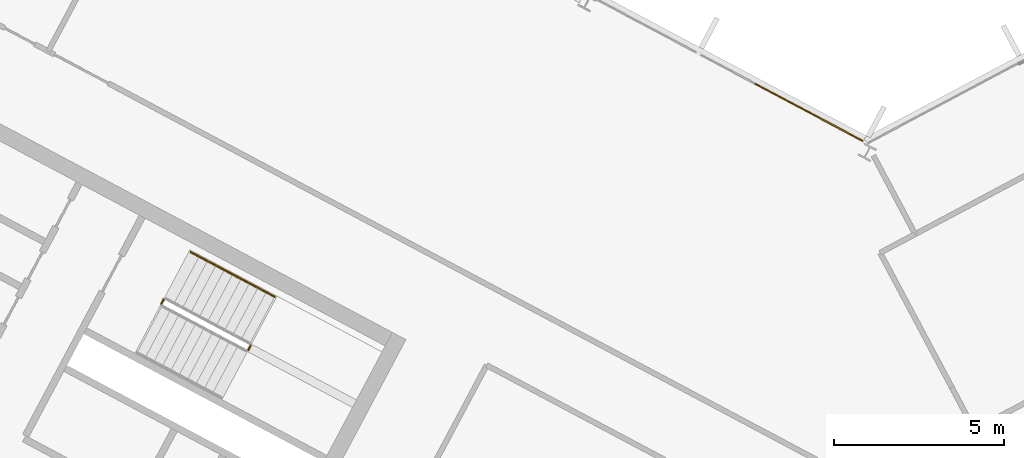
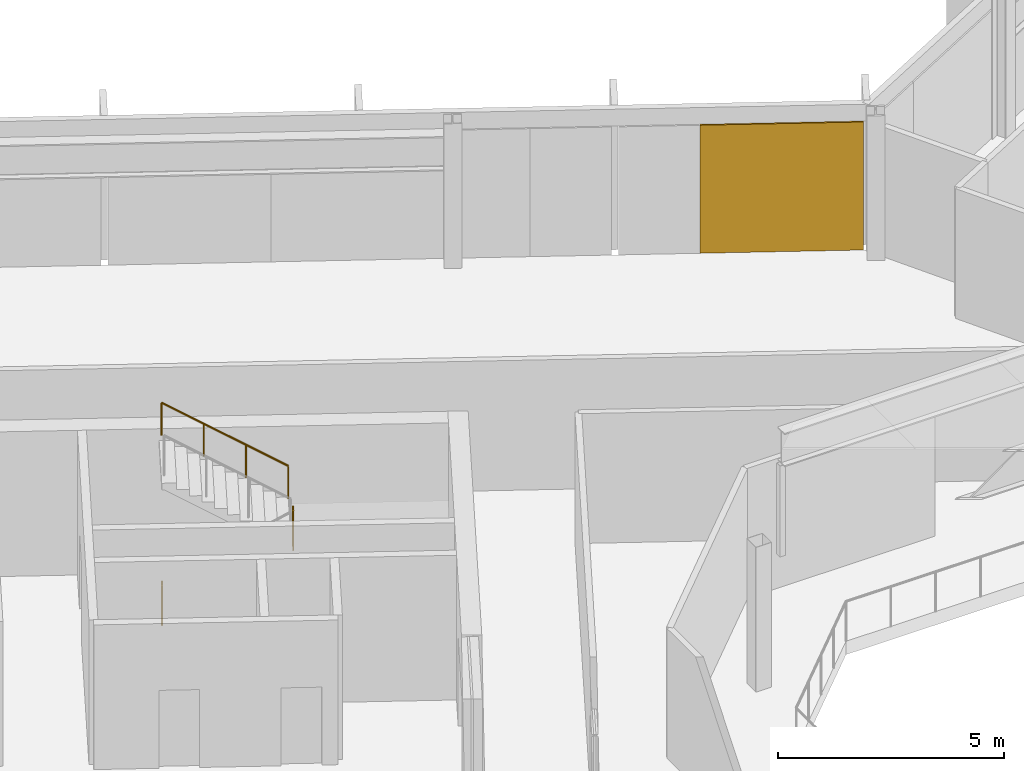
# One storey, part 33 of 35: 3 railings, 1 covering, 1 element without a shape of its own.
"""IFC4 building model written with IfcOpenShell, lengths in metres."""

import ifcopenshell
import ifcopenshell.guid

model = None  # the IFC model being written
_history = None  # IfcOwnerHistory: only IFC2X3 demands one
_inside = {}  # id of a spatial element -> (the spatial element, [elements in it])
_under = {}  # id of a project, library or spatial element -> (it, [spatial elements below it])
_declared = {}  # id of a project -> (the project, [libraries it declares])
_typed = {}  # id of a type object -> (the type object, [elements of that type])
_made_of = {}  # id of a material, layer set ... -> (it, [elements and type objects made of it])


def new_model(schema):
    """Start an empty IFC model of exactly this schema.

    Asked for "IFC4X3", IfcOpenShell would pick the latest addendum, in which some entities
    have other attributes; the version numbers below select the first issue.
    IFC2X3 requires an IfcOwnerHistory on every rooted entity: one is made here for all.
    """
    global model, _history
    if schema == "IFC4X3":
        model = ifcopenshell.file(schema_version=(4, 3, 0, 0))
    else:
        model = ifcopenshell.file(schema=schema)
    _inside.clear()
    _under.clear()
    _declared.clear()
    _typed.clear()
    _made_of.clear()
    _history = None
    if model.schema == "IFC2X3":
        org = make("IfcOrganization", Name="unknown")
        user = make(
            "IfcPersonAndOrganization",
            ThePerson=make("IfcPerson", FamilyName="unknown"),
            TheOrganization=org,
        )
        app = make(
            "IfcApplication",
            ApplicationDeveloper=org,
            Version="unknown",
            ApplicationFullName="unknown",
            ApplicationIdentifier="unknown",
        )
        _history = make(
            "IfcOwnerHistory",
            OwningUser=user,
            OwningApplication=app,
            ChangeAction="ADDED",
            CreationDate=0,
        )
    return model


def make(cls, **values):
    """One entity of the class cls with the attributes given. An attribute that is None is left unset."""
    return model.create_entity(
        cls, **{name: value for name, value in values.items() if value is not None}
    )


def rooted(cls, **values):
    """An entity with a GlobalId (a new one), such as an element, a storey or a relation."""
    return make(cls, GlobalId=ifcopenshell.guid.new(), OwnerHistory=_history, **values)


def si_unit(unit_type, name, prefix=None):
    """IfcSIUnit, for example si_unit("LENGTHUNIT", "METRE", prefix="MILLI")."""
    return make("IfcSIUnit", UnitType=unit_type, Prefix=prefix, Name=name)


def assignment(units):
    """IfcUnitAssignment: the units of a project."""
    return None if units is None else make("IfcUnitAssignment", Units=units)


def point(xyz):
    """IfcCartesianPoint."""
    return None if xyz is None else make("IfcCartesianPoint", Coordinates=xyz)


def direction(xyz):
    """IfcDirection."""
    return None if xyz is None else make("IfcDirection", DirectionRatios=xyz)


def frame(location, z_axis=None, x_axis=None):
    """IfcAxis2Placement3D, a coordinate frame: its origin and axes. An axis left out is left unset."""
    return make(
        "IfcAxis2Placement3D",
        Location=point(location),
        Axis=direction(z_axis),
        RefDirection=direction(x_axis),
    )


def frame_2d(location, x_axis=None):
    """IfcAxis2Placement2D, a coordinate frame in the plane: its origin and x axis."""
    return make(
        "IfcAxis2Placement2D", Location=point(location), RefDirection=direction(x_axis)
    )


def origin():
    """The frame at (0, 0, 0) with its axes left unset."""
    return frame((0.0, 0.0, 0.0))


def origin_2d():
    """The frame at (0, 0) in the plane with its x axis left unset."""
    return frame_2d((0.0, 0.0))


def place(relative_to, where):
    """IfcLocalPlacement: puts the frame where relative to a parent placement (None: the world)."""
    return make(
        "IfcLocalPlacement", PlacementRelTo=relative_to, RelativePlacement=where
    )


def context(
    kind, dimensions, precision=None, world=None, true_north=None, identifier=None
):
    """IfcGeometricRepresentationContext, for example the 3D "Model" context."""
    return make(
        "IfcGeometricRepresentationContext",
        ContextIdentifier=identifier,
        ContextType=kind,
        CoordinateSpaceDimension=dimensions,
        Precision=precision,
        WorldCoordinateSystem=world,
        TrueNorth=true_north,
    )


def subcontext(parent, identifier, kind, view, scale=None):
    """IfcGeometricRepresentationSubContext, for example "Body" below "Model"."""
    return make(
        "IfcGeometricRepresentationSubContext",
        ContextIdentifier=identifier,
        ContextType=kind,
        ParentContext=parent,
        TargetScale=scale,
        TargetView=view,
    )


def project(units=None, contexts=None):
    """IfcProject with its units and contexts."""
    return rooted(
        "IfcProject",
        Name="project",
        RepresentationContexts=contexts,
        UnitsInContext=assignment(units),
    )


def spatial(cls, under=None, at=None, **own):
    """A site, building, storey or space (cls), placed at a placement, below another one or the project."""
    s = rooted(cls, ObjectPlacement=at, **own)
    if under is not None:
        _under.setdefault(under.id(), (under, []))[1].append(s)
    return s


def polyline(points):
    """IfcPolyline through the points."""
    return make("IfcPolyline", Points=[point(p) for p in points])


def profile(cls, at=None, kind="AREA", **sizes):
    """A parametric profile (cls). Its sizes go by their IFC names, for example OverallWidth=200.0."""
    return make(cls, ProfileType=kind, Position=at, **sizes)


def rectangle(**sizes):
    """IfcRectangleProfileDef."""
    return profile("IfcRectangleProfileDef", **sizes)


def outline(outer, holes=None, kind="AREA"):
    """IfcArbitraryClosedProfileDef: a profile drawn as a closed curve; with holes, ...WithVoids."""
    if holes is None:
        return make("IfcArbitraryClosedProfileDef", ProfileType=kind, OuterCurve=outer)
    return make(
        "IfcArbitraryProfileDefWithVoids",
        ProfileType=kind,
        OuterCurve=outer,
        InnerCurves=holes,
    )


def extrude(swept, where, along, depth):
    """IfcExtrudedAreaSolid: the profile swept, set in the frame where, extruded along a direction by depth."""
    return make(
        "IfcExtrudedAreaSolid",
        SweptArea=swept,
        Position=where,
        ExtrudedDirection=direction(along),
        Depth=depth,
    )


def shape(context_of_items, identifier, shape_type, items):
    """IfcShapeRepresentation: the items that make up one representation, for example the "Body"."""
    return make(
        "IfcShapeRepresentation",
        ContextOfItems=context_of_items,
        RepresentationIdentifier=identifier,
        RepresentationType=shape_type,
        Items=items,
    )


def material(Name=None, Category=None):
    """IfcMaterial."""
    return make("IfcMaterial", Name=Name, Category=Category)


def layer(
    of_material, thickness, ventilated=None, Name=None, Category=None, Priority=None
):
    """IfcMaterialLayer: one layer of a wall or slab, of a material (None: an air gap)."""
    return make(
        "IfcMaterialLayer",
        Material=of_material,
        LayerThickness=thickness,
        IsVentilated=ventilated,
        Name=Name,
        Category=Category,
        Priority=Priority,
    )


def layer_set(layers, Name=None):
    """IfcMaterialLayerSet."""
    return make("IfcMaterialLayerSet", MaterialLayers=layers, LayerSetName=Name)


def made_of(thing, what):
    """Note that an element or type object is made of a material, layer set ...; save() writes the relation."""
    if what is not None:
        _made_of.setdefault(what.id(), (what, []))[1].append(thing)
    return thing


def type_object(cls, material=None, **own):
    """A type object (cls), such as IfcWallType, which elements share."""
    return made_of(rooted(cls, **own), material)


def element(
    cls,
    number,
    at=None,
    inside=None,
    cuts=None,
    type_object=None,
    material=None,
    context=None,
    identifier="Body",
    shape_type=None,
    held_by="IfcProductDefinitionShape",
    body=None,
    shapes=None,
    **own,
):
    """One element of the class cls, such as IfcWall. Its Tag is "e" and its number.

    at: its placement. inside: the storey or other place that contains it. cuts: it is an
    opening in that element (IfcRelVoidsElement). A single representation is given by context,
    identifier, shape_type and body (its items); several are given by shapes. held_by: the class
    of the entity that holds the representations. save() writes the other relations.
    """
    e = rooted(cls, Tag="e%d" % number, ObjectPlacement=at, **own)
    if body is not None:
        shapes = [shape(context, identifier, shape_type, body)]
    if shapes is not None:
        e.Representation = make(held_by, Representations=shapes)
    if inside is not None:
        _inside.setdefault(inside.id(), (inside, []))[1].append(e)
    if cuts is not None:
        rooted(
            "IfcRelVoidsElement", RelatingBuildingElement=cuts, RelatedOpeningElement=e
        )
    if type_object is not None:
        _typed.setdefault(type_object.id(), (type_object, []))[1].append(e)
    return made_of(e, material)


def aggregate(whole, parts):
    """IfcRelAggregates: a whole, such as a stair, and the parts it consists of."""
    return rooted("IfcRelAggregates", RelatingObject=whole, RelatedObjects=parts)


def save(model, path):
    """Write the relations noted so far, then the file.

    IfcRelAggregates (storeys below a building ...), IfcRelContainedInSpatialStructure (elements
    in a storey), IfcRelDefinesByType, IfcRelAssociatesMaterial and IfcRelDeclares: one each for
    every whole, place, type object, material and project.
    """
    for whole, parts in _under.values():
        aggregate(whole, parts)
    for where, things in _inside.values():
        rooted(
            "IfcRelContainedInSpatialStructure",
            RelatedElements=things,
            RelatingStructure=where,
        )
    for kind, things in _typed.values():
        rooted("IfcRelDefinesByType", RelatedObjects=things, RelatingType=kind)
    for what, things in _made_of.values():
        rooted("IfcRelAssociatesMaterial", RelatedObjects=things, RelatingMaterial=what)
    for by, libraries in _declared.values():
        rooted("IfcRelDeclares", RelatingContext=by, RelatedDefinitions=libraries)
    model.write(path)


model = new_model("IFC4")

# Units and contexts
model_context = context("Model", 3, precision=1e-05, world=origin(), true_north=direction((0.0, 1.0)))
body_context = subcontext(model_context, "Body", "Model", "MODEL_VIEW")
ifc_project = project(units=[si_unit("LENGTHUNIT", "METRE"), si_unit("AREAUNIT", "SQUARE_METRE"), si_unit("VOLUMEUNIT", "CUBIC_METRE"), si_unit("PLANEANGLEUNIT", "RADIAN"), si_unit("MASSUNIT", "GRAM", prefix="KILO")], contexts=[model_context])

# Site, building, storey
site_placement = place(None, origin())
site = spatial("IfcSite", under=ifc_project, at=site_placement, CompositionType="ELEMENT")
building_placement = place(site_placement, origin())
building = spatial("IfcBuilding", under=site, at=building_placement, Name="Cormorant Relay Tower", CompositionType="ELEMENT")
storey_placement = place(building_placement, frame((0.0, 0.0, 324.300048828125)))
storey = spatial("IfcBuildingStorey", under=building, at=storey_placement, Name="L74", CompositionType="ELEMENT", Elevation=324.300048828125)

# Curtain wall, covering
ifc_material_1 = material(Name="Aluminium 6063-T6 anodised bronze", Category="aluminium")
ifc_layer_1 = layer(ifc_material_1, 0.199951171875)
ifc_layer_set_1 = layer_set([ifc_layer_1], Name="CW1 unitised bronze curtain wall with vertical fins")
curtain_wall_type = type_object("IfcCurtainWallType", Name="CW1 unitised bronze curtain wall with vertical fins", PredefinedType="NOTDEFINED", material=ifc_layer_set_1)
curtain_wall_placement = place(storey_placement, origin())
curtain_wall = element("IfcCurtainWall", 1, at=curtain_wall_placement, inside=storey, type_object=curtain_wall_type, Name="CW1 curtain wall 9", PredefinedType="NOTDEFINED")
ifc_material_2 = material(Name="Pale bronze anodised aluminium insulated panel", Category="aluminium")
ifc_layer_2 = layer(ifc_material_2, 0.0400390625)
ifc_layer_set_2 = layer_set([ifc_layer_2], Name="CW1 pale bronze insulated panel 40")
covering_type = type_object("IfcCoveringType", Name="CW1 pale bronze insulated panel 40", PredefinedType="CLADDING", material=ifc_layer_set_2)
covering_placement = place(storey_placement, frame((-1.718505859375, 24.720458984375, 0.0), z_axis=(0.0, 0.0, 1.0), x_axis=(-0.882947592859, 0.469471562786, 0.0)))
covering = element("IfcCovering", 2, at=covering_placement, type_object=covering_type, Name="CW1 panel S00", PredefinedType="CLADDING", context=body_context, shape_type="SweptSolid", body=[
    extrude(rectangle(XDim=3.614013671875, YDim=0.0400390625, at=origin_2d()), origin(), (0.0, 0.0, 1.0), 3.449951171875),
])
aggregate(curtain_wall, [covering])

# Railings
ifc_material_3 = material(Name="Steel ASTM A572 Grade 50 (Fy 345 MPa)", Category="steel")
railing_type_1 = type_object("IfcRailingType", Name="Stair guard 1100", PredefinedType="GUARDRAIL", material=ifc_material_3)
railing_1_placement = place(storey_placement, frame((-18.210693359375, 17.72412109375, 1.949951171875)))
element("IfcRailing", 3, at=railing_1_placement, inside=storey, type_object=railing_type_1, Name="L74 A1 stair guard 2", PredefinedType="GUARDRAIL", context=body_context, shape_type="SweptSolid", body=[
    extrude(outline(polyline([(0.022216796875, 0.00927734375), (0.00927734375, 0.022216796875), (-0.00927734375, 0.022216796875), (-0.022216796875, 0.00927734375), (-0.022216796875, -0.00927734375), (-0.00927734375, -0.022216796875), (0.00927734375, -0.022216796875), (0.022216796875, -0.00927734375), (0.022216796875, 0.00927734375)])), frame((0.0, 0.0, 1.076171875), z_axis=(0.470503732759, 0.882398003998, 0.0), x_axis=(-0.882398003998, 0.470503732759, 0.0)), (0.0, 0.0, 1.0), 0.14990234375),
    extrude(outline(polyline([(0.019287109375, 0.008056640625), (0.008056640625, 0.019287109375), (-0.008056640625, 0.019287109375), (-0.019287109375, 0.008056640625), (-0.019287109375, -0.008056640625), (-0.008056640625, -0.019287109375), (0.008056640625, -0.019287109375), (0.019287109375, -0.008056640625), (0.019287109375, 0.008056640625)])), origin(), (0.0, 0.0, 1.0), 1.052001953125),
    extrude(outline(polyline([(0.019287109375, 0.008056640625), (0.008056640625, 0.019287109375), (-0.008056640625, 0.019287109375), (-0.019287109375, 0.008056640625), (-0.019287109375, -0.008056640625), (-0.008056640625, -0.019287109375), (0.008056640625, -0.019287109375), (0.019287109375, -0.008056640625), (0.019287109375, 0.008056640625)])), frame((0.070556640625, 0.13232421875, 0.0)), (0.0, 0.0, 1.0), 1.052001953125),
])
railing_2_placement = place(storey_placement, frame((-20.771240234375, 19.08544921875, 0.0)))
element("IfcRailing", 4, at=railing_2_placement, inside=storey, type_object=railing_type_1, Name="L74 A1 stair guard 4", PredefinedType="GUARDRAIL", context=body_context, shape_type="SweptSolid", body=[
    extrude(outline(polyline([(0.022216796875, 0.00927734375), (0.00927734375, 0.022216796875), (-0.00927734375, 0.022216796875), (-0.022216796875, 0.00927734375), (-0.022216796875, -0.00927734375), (-0.00927734375, -0.022216796875), (0.00927734375, -0.022216796875), (0.022216796875, -0.00927734375), (0.022216796875, 0.00927734375)])), frame((0.0, 0.0, 1.076171875), z_axis=(0.469828648786, 0.882757634224, 0.0), x_axis=(-0.882757634224, 0.469828648786, 0.0)), (0.0, 0.0, 1.0), 0.150146484375),
    extrude(outline(polyline([(0.019287109375, 0.008056640625), (0.008056640625, 0.019287109375), (-0.008056640625, 0.019287109375), (-0.019287109375, 0.008056640625), (-0.019287109375, -0.008056640625), (-0.008056640625, -0.019287109375), (0.008056640625, -0.019287109375), (0.019287109375, -0.008056640625), (0.019287109375, 0.008056640625)])), origin(), (0.0, 0.0, 1.0), 1.052001953125),
    extrude(outline(polyline([(0.019287109375, 0.008056640625), (0.008056640625, 0.019287109375), (-0.008056640625, 0.019287109375), (-0.019287109375, 0.008056640625), (-0.019287109375, -0.008056640625), (-0.008056640625, -0.019287109375), (0.008056640625, -0.019287109375), (0.019287109375, -0.008056640625), (0.019287109375, 0.008056640625)])), frame((0.070556640625, 0.132568359375, 0.0)), (0.0, 0.0, 1.0), 1.052001953125),
])
ifc_material_4 = material(Name="Steel ASTM A572 Grade 50 (Fy 345 MPa)", Category="steel")
railing_type_2 = type_object("IfcRailingType", Name="Stair handrail 900", PredefinedType="HANDRAIL", material=ifc_material_4)
railing_3_placement = place(storey_placement, frame((-17.433349609375, 19.292724609375, 2.127197265625)))
element("IfcRailing", 5, at=railing_3_placement, inside=storey, type_object=railing_type_2, Name="L74 A1 stair handrail 2", PredefinedType="HANDRAIL", context=body_context, shape_type="SweptSolid", body=[
    extrude(outline(polyline([(0.022216796875, 0.00927734375), (0.00927734375, 0.022216796875), (-0.00927734375, 0.022216796875), (-0.022216796875, 0.00927734375), (-0.022216796875, -0.00927734375), (-0.00927734375, -0.022216796875), (0.00927734375, -0.022216796875), (0.022216796875, -0.00927734375), (0.022216796875, 0.00927734375)])), frame((0.0, 0.0, 0.8759765625), z_axis=(-0.746001213114, 0.396649272309, 0.534931345884), x_axis=(-0.469465464807, -0.882950835185, 0.0)), (0.0, 0.0, 1.0), 3.31396484375),
    extrude(outline(polyline([(0.019287109375, 0.008056640625), (0.008056640625, 0.019287109375), (-0.008056640625, 0.019287109375), (-0.019287109375, 0.008056640625), (-0.019287109375, -0.008056640625), (-0.008056640625, -0.019287109375), (0.008056640625, -0.019287109375), (0.019287109375, -0.008056640625), (0.019287109375, 0.008056640625)])), origin(), (0.0, 0.0, 1.0), 0.851806640625),
    extrude(outline(polyline([(0.019287109375, 0.008056640625), (0.008056640625, 0.019287109375), (-0.008056640625, 0.019287109375), (-0.019287109375, 0.008056640625), (-0.019287109375, -0.008056640625), (-0.008056640625, -0.019287109375), (0.008056640625, -0.019287109375), (0.019287109375, -0.008056640625), (0.019287109375, 0.008056640625)])), frame((-0.823974609375, 0.438232421875, 0.5908203125)), (0.0, 0.0, 1.0), 0.851806640625),
    extrude(outline(polyline([(0.019287109375, 0.008056640625), (0.008056640625, 0.019287109375), (-0.008056640625, 0.019287109375), (-0.019287109375, 0.008056640625), (-0.019287109375, -0.008056640625), (-0.008056640625, -0.019287109375), (0.008056640625, -0.019287109375), (0.019287109375, -0.008056640625), (0.019287109375, 0.008056640625)])), frame((-1.648193359375, 0.876220703125, 1.181884765625)), (0.0, 0.0, 1.0), 0.851806640625),
    extrude(outline(polyline([(0.019287109375, 0.008056640625), (0.008056640625, 0.019287109375), (-0.008056640625, 0.019287109375), (-0.019287109375, 0.008056640625), (-0.019287109375, -0.008056640625), (-0.008056640625, -0.019287109375), (0.008056640625, -0.019287109375), (0.019287109375, -0.008056640625), (0.019287109375, 0.008056640625)])), frame((-2.47216796875, 1.314453125, 1.772705078125)), (0.0, 0.0, 1.0), 0.851806640625),
])

save(model, "model.ifc")
